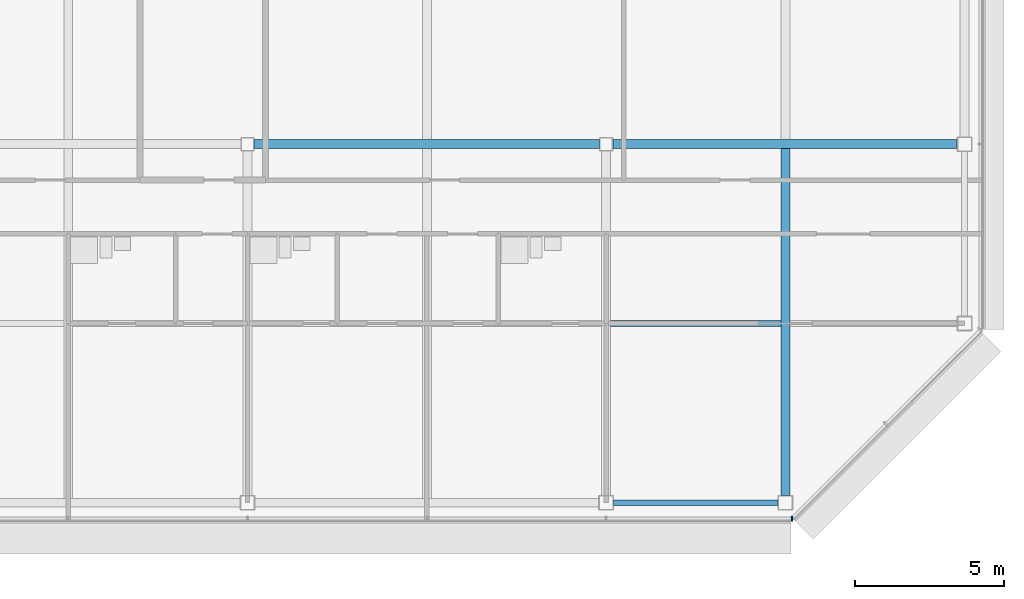
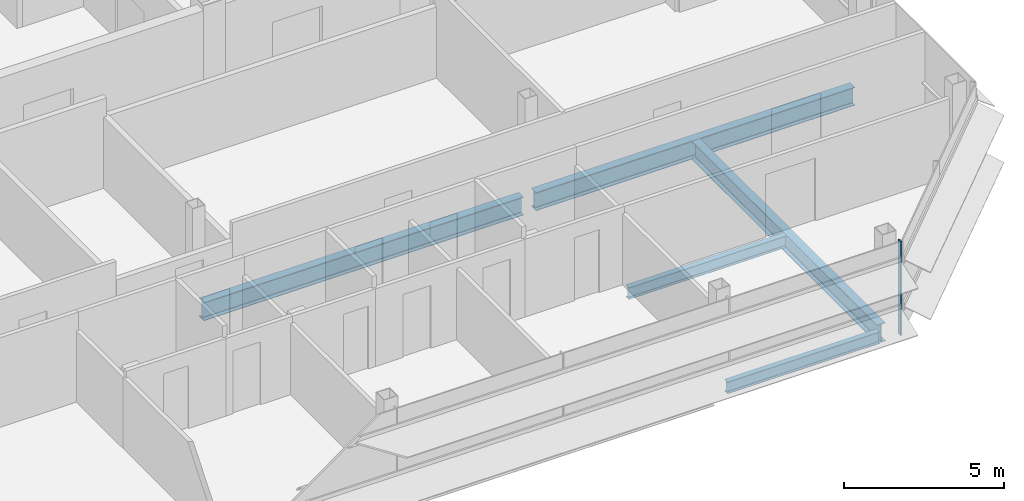
# One storey, part 11 of 28: 5 beams, 1 member, 1 element without a shape of its own.
"""IFC4 building model written with IfcOpenShell, lengths in metres."""

from ifc_helpers import new_model, si_unit, direction, frame, origin, origin_2d, place, context, subcontext, project, spatial, rectangle, i_section, extrude, material, material_profile, profile_set, type_object, element, aggregate, save


model = new_model("IFC4")

# Units and contexts
model_context = context("Model", 3, precision=1e-05, world=origin(), true_north=direction((0.0, 1.0)))
body_context = subcontext(model_context, "Body", "Model", "MODEL_VIEW")
ifc_project = project(units=[si_unit("LENGTHUNIT", "METRE"), si_unit("AREAUNIT", "SQUARE_METRE"), si_unit("VOLUMEUNIT", "CUBIC_METRE"), si_unit("PLANEANGLEUNIT", "RADIAN"), si_unit("MASSUNIT", "GRAM", prefix="KILO")], contexts=[model_context])

# Site, building, storey
site_placement = place(None, origin())
site = spatial("IfcSite", under=ifc_project, at=site_placement, CompositionType="ELEMENT")
building_placement = place(site_placement, origin())
building = spatial("IfcBuilding", under=site, at=building_placement, Name="Sorahane Residences", CompositionType="ELEMENT")
storey_placement = place(building_placement, frame((0.0, 0.0, 305.199951171875)))
storey = spatial("IfcBuildingStorey", under=building, at=storey_placement, Name="L72", CompositionType="ELEMENT", Elevation=305.199951171875)

# Curtain wall, member
ifc_material_1 = material(Name="Dark low-e glass and black anodised aluminium", Category="aluminium")
curtain_wall_type = type_object("IfcCurtainWallType", Name="Curtain wall CW-1 Typical unitised wall", PredefinedType="NOTDEFINED", material=ifc_material_1)
curtain_wall_placement = place(storey_placement, origin())
curtain_wall = element("IfcCurtainWall", 1, at=curtain_wall_placement, inside=storey, type_object=curtain_wall_type, Name="CW-1 curtain wall L72 S1", PredefinedType="NOTDEFINED")
ifc_material_2 = material(Name="Black anodised aluminium", Category="aluminium")
ifc_material_profile_1 = material_profile(ifc_material_2, rectangle(XDim=0.159912109375, YDim=0.050048828125, at=origin_2d()), Name="Curtain wall mullion CW-1 black anodised aluminium 50x160")
ifc_profile_set_1 = profile_set([ifc_material_profile_1], Name="Black anodised aluminium")
member_type = type_object("IfcMemberType", Name="Curtain wall mullion CW-1 black anodised aluminium 50x160", PredefinedType="MULLION", material=ifc_profile_set_1)
member_placement = place(storey_placement, frame((42.2236328125, -0.5400390625, -0.179931640625), z_axis=(0.0, 0.0, 1.0), x_axis=(0.0, -1.0, 0.0)))
member = element("IfcMember", 2, at=member_placement, type_object=member_type, Name="CW-1 mullion L72 S1.10", PredefinedType="MULLION", context=body_context, shape_type="SweptSolid", body=[
    extrude(rectangle(XDim=0.159912109375, YDim=0.050048828125, at=origin_2d()), origin(), (0.0, 0.0, 1.0), 3.60009765625),
])
aggregate(curtain_wall, [member])

# Beams
ifc_material_3 = material(Name="Steel Q355B", Category="steel")
ifc_material_profile_2 = material_profile(ifc_material_3, i_section(OverallWidth=0.199951171875, OverallDepth=0.449951171875, WebThickness=0.009033203125, FlangeThickness=0.013916015625, FilletRadius=0.02001953125, at=origin_2d()), Name="HN 450x200x9x14")
ifc_profile_set_2 = profile_set([ifc_material_profile_2], Name="Steel Q355B")
beam_type_1 = type_object("IfcBeamType", Name="Steel floor beam HN 450x200x9x14 Q355B", PredefinedType="BEAM", material=ifc_profile_set_2)
beam_1_placement = place(storey_placement, frame((36.25, 0.0, -0.405029296875), z_axis=(1.0, 0.0, 0.0), x_axis=(0.0, 1.0, 0.0)))
element("IfcBeam", 3, at=beam_1_placement, inside=storey, type_object=beam_type_1, Name="Beam L72 004", PredefinedType="BEAM", context=body_context, shape_type="SweptSolid", body=[
    extrude(i_section(OverallWidth=0.199951171875, OverallDepth=0.449951171875, WebThickness=0.009033203125, FlangeThickness=0.013916015625, FilletRadius=0.02001953125, at=origin_2d()), origin(), (0.0, 0.0, 1.0), 5.5),
])
beam_2_placement = place(storey_placement, frame((36.14990234375, 6.0, -0.405029296875), z_axis=(1.0, 0.0, 0.0), x_axis=(0.0, 1.0, 0.0)))
element("IfcBeam", 4, at=beam_2_placement, inside=storey, type_object=beam_type_1, Name="Beam L72 074", PredefinedType="BEAM", context=body_context, shape_type="SweptSolid", body=[
    extrude(i_section(OverallWidth=0.199951171875, OverallDepth=0.449951171875, WebThickness=0.009033203125, FlangeThickness=0.013916015625, FilletRadius=0.02001953125, at=origin_2d()), origin(), (0.0, 0.0, 1.0), 5.7001953125),
])
ifc_material_4 = material(Name="Steel Q355B", Category="steel")
ifc_material_profile_3 = material_profile(ifc_material_4, i_section(OverallWidth=0.300048828125, OverallDepth=0.699951171875, WebThickness=0.012939453125, FlangeThickness=0.02392578125, FilletRadius=0.028076171875, at=origin_2d()), Name="HN 700x300x13x24")
ifc_profile_set_3 = profile_set([ifc_material_profile_3], Name="Steel Q355B")
beam_type_2 = type_object("IfcBeamType", Name="Steel floor beam HN 700x300x13x24 Q355B", PredefinedType="BEAM", material=ifc_profile_set_3)
beam_3_placement = place(storey_placement, frame((24.22509765625, 12.0, -0.530029296875), z_axis=(1.0, 0.0, 0.0), x_axis=(0.0, 1.0, 0.0)))
element("IfcBeam", 5, at=beam_3_placement, inside=storey, type_object=beam_type_2, Name="Beam L72 009", PredefinedType="BEAM", context=body_context, shape_type="SweptSolid", body=[
    extrude(i_section(OverallWidth=0.300048828125, OverallDepth=0.699951171875, WebThickness=0.012939453125, FlangeThickness=0.02392578125, FilletRadius=0.028076171875, at=origin_2d()), origin(), (0.0, 0.0, 1.0), 11.5498046875),
])
beam_4_placement = place(storey_placement, frame((36.22509765625, 12.0, -0.530029296875), z_axis=(1.0, 0.0, 0.0), x_axis=(0.0, 1.0, 0.0)))
element("IfcBeam", 6, at=beam_4_placement, inside=storey, type_object=beam_type_2, Name="Beam L72 010", PredefinedType="BEAM", context=body_context, shape_type="SweptSolid", body=[
    extrude(i_section(OverallWidth=0.300048828125, OverallDepth=0.699951171875, WebThickness=0.012939453125, FlangeThickness=0.02392578125, FilletRadius=0.028076171875, at=origin_2d()), origin(), (0.0, 0.0, 1.0), 11.52490234375),
])
beam_5_placement = place(storey_placement, frame((42.0, 0.25, -0.530029296875), z_axis=(0.0, 1.0, 0.0), x_axis=(-1.0, 0.0, 0.0)))
element("IfcBeam", 7, at=beam_5_placement, inside=storey, type_object=beam_type_2, Name="Beam L72 056", PredefinedType="BEAM", context=body_context, shape_type="SweptSolid", body=[
    extrude(i_section(OverallWidth=0.300048828125, OverallDepth=0.699951171875, WebThickness=0.012939453125, FlangeThickness=0.02392578125, FilletRadius=0.028076171875, at=origin_2d()), origin(), (0.0, 0.0, 1.0), 11.60009765625),
])

save(model, "model.ifc")
